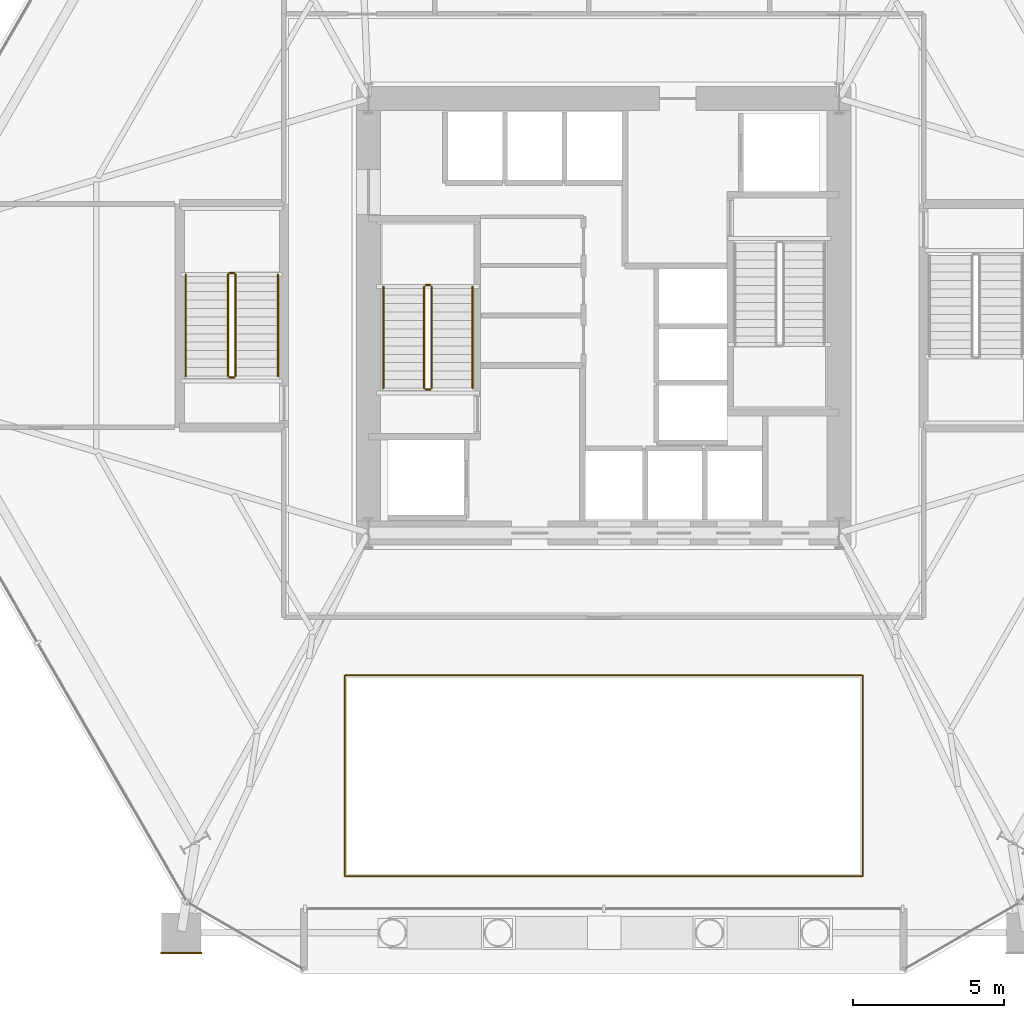
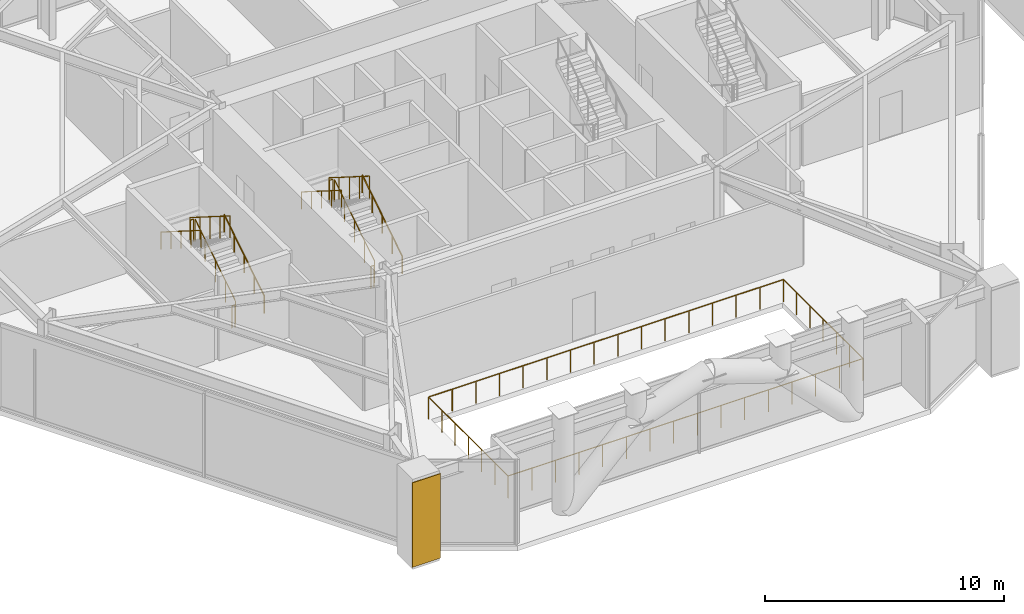
# One storey, part 20 of 23: 13 railings, 1 covering.
"""IFC4 building model written with IfcOpenShell, lengths in metres."""

from ifc_helpers import new_model, si_unit, direction, frame, origin, origin_2d, place, context, subcontext, project, spatial, rectangle, circle, extrude, material, layer, layer_set, type_object, element, save


model = new_model("IFC4")

# Units and contexts
model_context = context("Model", 3, precision=1e-05, world=origin(), true_north=direction((0.0, 1.0)))
body_context = subcontext(model_context, "Body", "Model", "MODEL_VIEW")
ifc_project = project(units=[si_unit("LENGTHUNIT", "METRE"), si_unit("AREAUNIT", "SQUARE_METRE"), si_unit("VOLUMEUNIT", "CUBIC_METRE"), si_unit("PLANEANGLEUNIT", "RADIAN"), si_unit("MASSUNIT", "GRAM", prefix="KILO")], contexts=[model_context])

# Site, building, storey
site_placement = place(None, origin())
site = spatial("IfcSite", under=ifc_project, at=site_placement, CompositionType="ELEMENT")
building_placement = place(site_placement, origin())
building = spatial("IfcBuilding", under=site, at=building_placement, Name="Kranzbogen Civic Tower", CompositionType="ELEMENT")
storey_placement = place(building_placement, frame((0.0, 0.0, 14.39990234375)))
storey = spatial("IfcBuildingStorey", under=building, at=storey_placement, Name="L03", CompositionType="ELEMENT", Elevation=14.39990234375)

# Railings
ifc_material_1 = material(Name="Steel S355", Category="steel")
railing_type_1 = type_object("IfcRailingType", Name="Internal Stair and Void Steel Guardrail 1150", PredefinedType="GUARDRAIL", material=ifc_material_1)
railing_1_placement = place(storey_placement, frame((19.300048828125, 22.60009765625, 0.177001953125)))
element("IfcRailing", 1, at=railing_1_placement, inside=storey, type_object=railing_type_1, Name="L03 ST-T1 stair guard 1", PredefinedType="GUARDRAIL", context=body_context, shape_type="SweptSolid", body=[
    extrude(circle(Radius=0.02392578125, at=origin_2d()), frame((0.0, 0.0, 1.1259765625), z_axis=(0.0, 0.845372108799, 0.534177870812), x_axis=(-1.0, 0.0, 0.0)), (0.0, 0.0, 1.0), 3.974365234375),
    extrude(circle(Radius=0.02099609375, at=origin_2d()), origin(), (0.0, 0.0, 1.0), 1.101806640625),
    extrude(circle(Radius=0.02099609375, at=origin_2d()), frame((0.0, 0.83984375, 0.53076171875)), (0.0, 0.0, 1.0), 1.101806640625),
    extrude(circle(Radius=0.02099609375, at=origin_2d()), frame((0.0, 1.679931640625, 1.0615234375)), (0.0, 0.0, 1.0), 1.101806640625),
    extrude(circle(Radius=0.02099609375, at=origin_2d()), frame((0.0, 2.52001953125, 1.59228515625)), (0.0, 0.0, 1.0), 1.101806640625),
    extrude(circle(Radius=0.02099609375, at=origin_2d()), frame((0.0, 3.35986328125, 2.123046875)), (0.0, 0.0, 1.0), 1.101806640625),
])
railing_2_placement = place(storey_placement, frame((19.25, 26.010009765625, 2.300048828125)))
element("IfcRailing", 2, at=railing_2_placement, inside=storey, type_object=railing_type_1, Name="L03 ST-T1 stair guard 2", PredefinedType="GUARDRAIL", context=body_context, shape_type="SweptSolid", body=[
    extrude(circle(Radius=0.02392578125, at=origin_2d()), frame((0.0, 0.0, 1.1259765625), z_axis=(-1.0, 0.0, 0.0), x_axis=(0.0, -1.0, 0.0)), (0.0, 0.0, 1.0), 0.14990234375),
    extrude(circle(Radius=0.02099609375, at=origin_2d()), origin(), (0.0, 0.0, 1.0), 1.101806640625),
    extrude(circle(Radius=0.02099609375, at=origin_2d()), frame((-0.14990234375, 0.0, 0.0)), (0.0, 0.0, 1.0), 1.101806640625),
])
railing_3_placement = place(storey_placement, frame((19.050048828125, 25.9599609375, 2.47705078125)))
element("IfcRailing", 3, at=railing_3_placement, inside=storey, type_object=railing_type_1, Name="L03 ST-T1 stair guard 3", PredefinedType="GUARDRAIL", context=body_context, shape_type="SweptSolid", body=[
    extrude(circle(Radius=0.02392578125, at=origin_2d()), frame((0.0, 0.0, 1.1259765625), z_axis=(0.0, -0.845372108799, 0.534177870812), x_axis=(1.0, 0.0, 0.0)), (0.0, 0.0, 1.0), 3.974365234375),
    extrude(circle(Radius=0.02099609375, at=origin_2d()), origin(), (0.0, 0.0, 1.0), 1.101806640625),
    extrude(circle(Radius=0.02099609375, at=origin_2d()), frame((0.0, -0.83984375, 0.53076171875)), (0.0, 0.0, 1.0), 1.101806640625),
    extrude(circle(Radius=0.02099609375, at=origin_2d()), frame((0.0, -1.679931640625, 1.0615234375)), (0.0, 0.0, 1.0), 1.101806640625),
    extrude(circle(Radius=0.02099609375, at=origin_2d()), frame((0.0, -2.52001953125, 1.59228515625)), (0.0, 0.0, 1.0), 1.101806640625),
    extrude(circle(Radius=0.02099609375, at=origin_2d()), frame((0.0, -3.35986328125, 2.123046875)), (0.0, 0.0, 1.0), 1.101806640625),
])
railing_4_placement = place(storey_placement, frame((19.25, 22.550048828125, 0.0)))
element("IfcRailing", 4, at=railing_4_placement, inside=storey, type_object=railing_type_1, Name="L03 ST-T1 stair guard 4", PredefinedType="GUARDRAIL", context=body_context, shape_type="SweptSolid", body=[
    extrude(circle(Radius=0.02392578125, at=origin_2d()), frame((0.0, 0.0, 1.1259765625), z_axis=(-1.0, 0.0, 0.0), x_axis=(0.0, -1.0, 0.0)), (0.0, 0.0, 1.0), 0.14990234375),
    extrude(circle(Radius=0.02099609375, at=origin_2d()), origin(), (0.0, 0.0, 1.0), 1.101806640625),
    extrude(circle(Radius=0.02099609375, at=origin_2d()), frame((-0.14990234375, 0.0, 0.0)), (0.0, 0.0, 1.0), 1.101806640625),
])
railing_5_placement = place(storey_placement, frame((12.800048828125, 23.0, 0.177001953125)))
element("IfcRailing", 5, at=railing_5_placement, inside=storey, type_object=railing_type_1, Name="L03 ST-P1 stair guard 1", PredefinedType="GUARDRAIL", context=body_context, shape_type="SweptSolid", body=[
    extrude(circle(Radius=0.02392578125, at=origin_2d()), frame((0.0, 0.0, 1.1259765625), z_axis=(0.0, 0.845389635667, 0.534150132366), x_axis=(-1.0, 0.0, 0.0)), (0.0, 0.0, 1.0), 3.974609375),
    extrude(circle(Radius=0.02099609375, at=origin_2d()), origin(), (0.0, 0.0, 1.0), 1.101806640625),
    extrude(circle(Radius=0.02099609375, at=origin_2d()), frame((0.0, 0.840087890625, 0.53076171875)), (0.0, 0.0, 1.0), 1.101806640625),
    extrude(circle(Radius=0.02099609375, at=origin_2d()), frame((0.0, 1.68017578125, 1.0615234375)), (0.0, 0.0, 1.0), 1.101806640625),
    extrude(circle(Radius=0.02099609375, at=origin_2d()), frame((0.0, 2.52001953125, 1.59228515625)), (0.0, 0.0, 1.0), 1.101806640625),
    extrude(circle(Radius=0.02099609375, at=origin_2d()), frame((0.0, 3.360107421875, 2.123046875)), (0.0, 0.0, 1.0), 1.101806640625),
])
railing_6_placement = place(storey_placement, frame((12.75, 26.409912109375, 2.300048828125)))
element("IfcRailing", 6, at=railing_6_placement, inside=storey, type_object=railing_type_1, Name="L03 ST-P1 stair guard 2", PredefinedType="GUARDRAIL", context=body_context, shape_type="SweptSolid", body=[
    extrude(circle(Radius=0.02392578125, at=origin_2d()), frame((0.0, 0.0, 1.1259765625), z_axis=(-1.0, 0.0, 0.0), x_axis=(0.0, -1.0, 0.0)), (0.0, 0.0, 1.0), 0.14990234375),
    extrude(circle(Radius=0.02099609375, at=origin_2d()), origin(), (0.0, 0.0, 1.0), 1.101806640625),
    extrude(circle(Radius=0.02099609375, at=origin_2d()), frame((-0.14990234375, 0.0, 0.0)), (0.0, 0.0, 1.0), 1.101806640625),
])
railing_7_placement = place(storey_placement, frame((12.550048828125, 26.360107421875, 2.47705078125)))
element("IfcRailing", 7, at=railing_7_placement, inside=storey, type_object=railing_type_1, Name="L03 ST-P1 stair guard 3", PredefinedType="GUARDRAIL", context=body_context, shape_type="SweptSolid", body=[
    extrude(circle(Radius=0.02392578125, at=origin_2d()), frame((0.0, 0.0, 1.1259765625), z_axis=(0.0, -0.845389635667, 0.534150132366), x_axis=(1.0, 0.0, 0.0)), (0.0, 0.0, 1.0), 3.974609375),
    extrude(circle(Radius=0.02099609375, at=origin_2d()), origin(), (0.0, 0.0, 1.0), 1.101806640625),
    extrude(circle(Radius=0.02099609375, at=origin_2d()), frame((0.0, -0.840087890625, 0.53076171875)), (0.0, 0.0, 1.0), 1.101806640625),
    extrude(circle(Radius=0.02099609375, at=origin_2d()), frame((0.0, -1.68017578125, 1.0615234375)), (0.0, 0.0, 1.0), 1.101806640625),
    extrude(circle(Radius=0.02099609375, at=origin_2d()), frame((0.0, -2.52001953125, 1.59228515625)), (0.0, 0.0, 1.0), 1.101806640625),
    extrude(circle(Radius=0.02099609375, at=origin_2d()), frame((0.0, -3.360107421875, 2.123046875)), (0.0, 0.0, 1.0), 1.101806640625),
])
railing_8_placement = place(storey_placement, frame((12.75, 22.949951171875, 0.0)))
element("IfcRailing", 8, at=railing_8_placement, inside=storey, type_object=railing_type_1, Name="L03 ST-P1 stair guard 4", PredefinedType="GUARDRAIL", context=body_context, shape_type="SweptSolid", body=[
    extrude(circle(Radius=0.02392578125, at=origin_2d()), frame((0.0, 0.0, 1.1259765625), z_axis=(-1.0, 0.0, 0.0), x_axis=(0.0, -1.0, 0.0)), (0.0, 0.0, 1.0), 0.14990234375),
    extrude(circle(Radius=0.02099609375, at=origin_2d()), origin(), (0.0, 0.0, 1.0), 1.101806640625),
    extrude(circle(Radius=0.02099609375, at=origin_2d()), frame((-0.14990234375, 0.0, 0.0)), (0.0, 0.0, 1.0), 1.101806640625),
])
railing_9_placement = place(storey_placement, frame((16.419921875, 6.419921875, 0.0)))
element("IfcRailing", 9, at=railing_9_placement, inside=storey, type_object=railing_type_1, Name="L03 double-height civic hall overlook guardrail", PredefinedType="GUARDRAIL", context=body_context, shape_type="SweptSolid", body=[
    extrude(circle(Radius=0.02392578125, at=origin_2d()), frame((0.0, 0.0, 1.1259765625), z_axis=(1.0, 0.0, 0.0), x_axis=(0.0, 1.0, 0.0)), (0.0, 0.0, 1.0), 17.16015625),
    extrude(circle(Radius=0.02392578125, at=origin_2d()), frame((17.16015625, 0.0, 1.1259765625), z_axis=(0.0, 1.0, 0.0), x_axis=(-1.0, 0.0, 0.0)), (0.0, 0.0, 1.0), 6.66015625),
    extrude(circle(Radius=0.02392578125, at=origin_2d()), frame((17.16015625, 6.66015625, 1.1259765625), z_axis=(-1.0, 0.0, 0.0), x_axis=(0.0, -1.0, 0.0)), (0.0, 0.0, 1.0), 17.16015625),
    extrude(circle(Radius=0.02392578125, at=origin_2d()), frame((0.0, 6.66015625, 1.1259765625), z_axis=(0.0, -1.0, 0.0), x_axis=(1.0, 0.0, 0.0)), (0.0, 0.0, 1.0), 6.66015625),
    extrude(circle(Radius=0.02099609375, at=origin_2d()), origin(), (0.0, 0.0, 1.0), 1.101806640625),
    extrude(circle(Radius=0.02099609375, at=origin_2d()), frame((1.14404296875, 0.0, 0.0)), (0.0, 0.0, 1.0), 1.101806640625),
    extrude(circle(Radius=0.02099609375, at=origin_2d()), frame((2.2880859375, 0.0, 0.0)), (0.0, 0.0, 1.0), 1.101806640625),
    extrude(circle(Radius=0.02099609375, at=origin_2d()), frame((3.43212890625, 0.0, 0.0)), (0.0, 0.0, 1.0), 1.101806640625),
    extrude(circle(Radius=0.02099609375, at=origin_2d()), frame((4.575927734375, 0.0, 0.0)), (0.0, 0.0, 1.0), 1.101806640625),
    extrude(circle(Radius=0.02099609375, at=origin_2d()), frame((5.719970703125, 0.0, 0.0)), (0.0, 0.0, 1.0), 1.101806640625),
    extrude(circle(Radius=0.02099609375, at=origin_2d()), frame((6.864013671875, 0.0, 0.0)), (0.0, 0.0, 1.0), 1.101806640625),
    extrude(circle(Radius=0.02099609375, at=origin_2d()), frame((8.008056640625, 0.0, 0.0)), (0.0, 0.0, 1.0), 1.101806640625),
    extrude(circle(Radius=0.02099609375, at=origin_2d()), frame((9.152099609375, 0.0, 0.0)), (0.0, 0.0, 1.0), 1.101806640625),
    extrude(circle(Radius=0.02099609375, at=origin_2d()), frame((10.296142578125, 0.0, 0.0)), (0.0, 0.0, 1.0), 1.101806640625),
    extrude(circle(Radius=0.02099609375, at=origin_2d()), frame((11.440185546875, 0.0, 0.0)), (0.0, 0.0, 1.0), 1.101806640625),
    extrude(circle(Radius=0.02099609375, at=origin_2d()), frame((12.584228515625, 0.0, 0.0)), (0.0, 0.0, 1.0), 1.101806640625),
    extrude(circle(Radius=0.02099609375, at=origin_2d()), frame((13.72802734375, 0.0, 0.0)), (0.0, 0.0, 1.0), 1.101806640625),
    extrude(circle(Radius=0.02099609375, at=origin_2d()), frame((14.8720703125, 0.0, 0.0)), (0.0, 0.0, 1.0), 1.101806640625),
    extrude(circle(Radius=0.02099609375, at=origin_2d()), frame((16.01611328125, 0.0, 0.0)), (0.0, 0.0, 1.0), 1.101806640625),
    extrude(circle(Radius=0.02099609375, at=origin_2d()), frame((17.16015625, 0.0, 0.0)), (0.0, 0.0, 1.0), 1.101806640625),
    extrude(circle(Radius=0.02099609375, at=origin_2d()), frame((17.16015625, 1.110107421875, 0.0)), (0.0, 0.0, 1.0), 1.101806640625),
    extrude(circle(Radius=0.02099609375, at=origin_2d()), frame((17.16015625, 2.219970703125, 0.0)), (0.0, 0.0, 1.0), 1.101806640625),
    extrude(circle(Radius=0.02099609375, at=origin_2d()), frame((17.16015625, 3.330078125, 0.0)), (0.0, 0.0, 1.0), 1.101806640625),
    extrude(circle(Radius=0.02099609375, at=origin_2d()), frame((17.16015625, 4.440185546875, 0.0)), (0.0, 0.0, 1.0), 1.101806640625),
    extrude(circle(Radius=0.02099609375, at=origin_2d()), frame((17.16015625, 5.550048828125, 0.0)), (0.0, 0.0, 1.0), 1.101806640625),
    extrude(circle(Radius=0.02099609375, at=origin_2d()), frame((17.16015625, 6.66015625, 0.0)), (0.0, 0.0, 1.0), 1.101806640625),
    extrude(circle(Radius=0.02099609375, at=origin_2d()), frame((16.01611328125, 6.66015625, 0.0)), (0.0, 0.0, 1.0), 1.101806640625),
    extrude(circle(Radius=0.02099609375, at=origin_2d()), frame((14.8720703125, 6.66015625, 0.0)), (0.0, 0.0, 1.0), 1.101806640625),
    extrude(circle(Radius=0.02099609375, at=origin_2d()), frame((13.72802734375, 6.66015625, 0.0)), (0.0, 0.0, 1.0), 1.101806640625),
    extrude(circle(Radius=0.02099609375, at=origin_2d()), frame((12.584228515625, 6.66015625, 0.0)), (0.0, 0.0, 1.0), 1.101806640625),
    extrude(circle(Radius=0.02099609375, at=origin_2d()), frame((11.440185546875, 6.66015625, 0.0)), (0.0, 0.0, 1.0), 1.101806640625),
    extrude(circle(Radius=0.02099609375, at=origin_2d()), frame((10.296142578125, 6.66015625, 0.0)), (0.0, 0.0, 1.0), 1.101806640625),
    extrude(circle(Radius=0.02099609375, at=origin_2d()), frame((9.152099609375, 6.66015625, 0.0)), (0.0, 0.0, 1.0), 1.101806640625),
    extrude(circle(Radius=0.02099609375, at=origin_2d()), frame((8.008056640625, 6.66015625, 0.0)), (0.0, 0.0, 1.0), 1.101806640625),
    extrude(circle(Radius=0.02099609375, at=origin_2d()), frame((6.864013671875, 6.66015625, 0.0)), (0.0, 0.0, 1.0), 1.101806640625),
    extrude(circle(Radius=0.02099609375, at=origin_2d()), frame((5.719970703125, 6.66015625, 0.0)), (0.0, 0.0, 1.0), 1.101806640625),
    extrude(circle(Radius=0.02099609375, at=origin_2d()), frame((4.575927734375, 6.66015625, 0.0)), (0.0, 0.0, 1.0), 1.101806640625),
    extrude(circle(Radius=0.02099609375, at=origin_2d()), frame((3.43212890625, 6.66015625, 0.0)), (0.0, 0.0, 1.0), 1.101806640625),
    extrude(circle(Radius=0.02099609375, at=origin_2d()), frame((2.2880859375, 6.66015625, 0.0)), (0.0, 0.0, 1.0), 1.101806640625),
    extrude(circle(Radius=0.02099609375, at=origin_2d()), frame((1.14404296875, 6.66015625, 0.0)), (0.0, 0.0, 1.0), 1.101806640625),
    extrude(circle(Radius=0.02099609375, at=origin_2d()), frame((0.0, 6.66015625, 0.0)), (0.0, 0.0, 1.0), 1.101806640625),
    extrude(circle(Radius=0.02099609375, at=origin_2d()), frame((0.0, 5.550048828125, 0.0)), (0.0, 0.0, 1.0), 1.101806640625),
    extrude(circle(Radius=0.02099609375, at=origin_2d()), frame((0.0, 4.440185546875, 0.0)), (0.0, 0.0, 1.0), 1.101806640625),
    extrude(circle(Radius=0.02099609375, at=origin_2d()), frame((0.0, 3.330078125, 0.0)), (0.0, 0.0, 1.0), 1.101806640625),
    extrude(circle(Radius=0.02099609375, at=origin_2d()), frame((0.0, 2.219970703125, 0.0)), (0.0, 0.0, 1.0), 1.101806640625),
    extrude(circle(Radius=0.02099609375, at=origin_2d()), frame((0.0, 1.110107421875, 0.0)), (0.0, 0.0, 1.0), 1.101806640625),
])

# Covering
ifc_material_2 = material(Name="Anodised Bronze Aluminium", Category="aluminium")
ifc_layer = layer(ifc_material_2, 0.034912109375, Name="Anodised Bronze Aluminium")
ifc_layer_set = layer_set([ifc_layer], Name="Anodised Bronze Aluminium")
covering_type = type_object("IfcCoveringType", Name="Portal Arch Pier Anodised Metal Cladding 35 mm", PredefinedType="CLADDING", material=ifc_layer_set)
covering_placement = place(storey_placement, frame((11.0, 3.882080078125, 0.14013671875), z_axis=(0.0, 0.0, 1.0), x_axis=(1.0, 0.0, 0.0)))
element("IfcCovering", 10, at=covering_placement, inside=storey, type_object=covering_type, Name="L03 portal arch pier 1 cladding", PredefinedType="CLADDING", context=body_context, shape_type="SweptSolid", body=[
    extrude(rectangle(XDim=1.3701171875, YDim=0.034912109375, at=origin_2d()), origin(), (0.0, 0.0, 1.0), 4.320068359375),
])

# Railings
ifc_material_3 = material(Name="Pale Anodised Aluminium", Category="aluminium")
railing_type_2 = type_object("IfcRailingType", Name="Tubular Stainless Stair Wall Handrail 900", PredefinedType="HANDRAIL", material=ifc_material_3)
railing_10_placement = place(storey_placement, frame((20.64990234375, 22.60009765625, 0.177001953125)))
element("IfcRailing", 11, at=railing_10_placement, inside=storey, type_object=railing_type_2, Name="L03 ST-T1 stair handrail 1", PredefinedType="HANDRAIL", context=body_context, shape_type="SweptSolid", body=[
    extrude(circle(Radius=0.02392578125, at=origin_2d()), frame((0.0, 0.0, 0.8759765625), z_axis=(0.0, 0.845372108799, 0.534177870812), x_axis=(-1.0, 0.0, 0.0)), (0.0, 0.0, 1.0), 3.974365234375),
    extrude(circle(Radius=0.02099609375, at=origin_2d()), origin(), (0.0, 0.0, 1.0), 0.851806640625),
    extrude(circle(Radius=0.02099609375, at=origin_2d()), frame((0.0, 0.83984375, 0.53076171875)), (0.0, 0.0, 1.0), 0.851806640625),
    extrude(circle(Radius=0.02099609375, at=origin_2d()), frame((0.0, 1.679931640625, 1.0615234375)), (0.0, 0.0, 1.0), 0.851806640625),
    extrude(circle(Radius=0.02099609375, at=origin_2d()), frame((0.0, 2.52001953125, 1.59228515625)), (0.0, 0.0, 1.0), 0.851806640625),
    extrude(circle(Radius=0.02099609375, at=origin_2d()), frame((0.0, 3.35986328125, 2.123046875)), (0.0, 0.0, 1.0), 0.851806640625),
])
railing_11_placement = place(storey_placement, frame((17.699951171875, 25.9599609375, 2.47705078125)))
element("IfcRailing", 12, at=railing_11_placement, inside=storey, type_object=railing_type_2, Name="L03 ST-T1 stair handrail 2", PredefinedType="HANDRAIL", context=body_context, shape_type="SweptSolid", body=[
    extrude(circle(Radius=0.02392578125, at=origin_2d()), frame((0.0, 0.0, 0.8759765625), z_axis=(0.0, -0.845372108799, 0.534177870812), x_axis=(1.0, 0.0, 0.0)), (0.0, 0.0, 1.0), 3.974365234375),
    extrude(circle(Radius=0.02099609375, at=origin_2d()), origin(), (0.0, 0.0, 1.0), 0.851806640625),
    extrude(circle(Radius=0.02099609375, at=origin_2d()), frame((0.0, -0.83984375, 0.53076171875)), (0.0, 0.0, 1.0), 0.851806640625),
    extrude(circle(Radius=0.02099609375, at=origin_2d()), frame((0.0, -1.679931640625, 1.0615234375)), (0.0, 0.0, 1.0), 0.851806640625),
    extrude(circle(Radius=0.02099609375, at=origin_2d()), frame((0.0, -2.52001953125, 1.59228515625)), (0.0, 0.0, 1.0), 0.851806640625),
    extrude(circle(Radius=0.02099609375, at=origin_2d()), frame((0.0, -3.35986328125, 2.123046875)), (0.0, 0.0, 1.0), 0.851806640625),
])
railing_12_placement = place(storey_placement, frame((14.199951171875, 23.0, 0.177001953125)))
element("IfcRailing", 13, at=railing_12_placement, inside=storey, type_object=railing_type_2, Name="L03 ST-P1 stair handrail 1", PredefinedType="HANDRAIL", context=body_context, shape_type="SweptSolid", body=[
    extrude(circle(Radius=0.02392578125, at=origin_2d()), frame((0.0, 0.0, 0.8759765625), z_axis=(0.0, 0.845389635667, 0.534150132366), x_axis=(-1.0, 0.0, 0.0)), (0.0, 0.0, 1.0), 3.974609375),
    extrude(circle(Radius=0.02099609375, at=origin_2d()), origin(), (0.0, 0.0, 1.0), 0.851806640625),
    extrude(circle(Radius=0.02099609375, at=origin_2d()), frame((0.0, 0.840087890625, 0.53076171875)), (0.0, 0.0, 1.0), 0.851806640625),
    extrude(circle(Radius=0.02099609375, at=origin_2d()), frame((0.0, 1.68017578125, 1.0615234375)), (0.0, 0.0, 1.0), 0.851806640625),
    extrude(circle(Radius=0.02099609375, at=origin_2d()), frame((0.0, 2.52001953125, 1.59228515625)), (0.0, 0.0, 1.0), 0.851806640625),
    extrude(circle(Radius=0.02099609375, at=origin_2d()), frame((0.0, 3.360107421875, 2.123046875)), (0.0, 0.0, 1.0), 0.851806640625),
])
railing_13_placement = place(storey_placement, frame((11.14990234375, 26.360107421875, 2.47705078125)))
element("IfcRailing", 14, at=railing_13_placement, inside=storey, type_object=railing_type_2, Name="L03 ST-P1 stair handrail 2", PredefinedType="HANDRAIL", context=body_context, shape_type="SweptSolid", body=[
    extrude(circle(Radius=0.02392578125, at=origin_2d()), frame((0.0, 0.0, 0.8759765625), z_axis=(0.0, -0.845389635667, 0.534150132366), x_axis=(1.0, 0.0, 0.0)), (0.0, 0.0, 1.0), 3.974609375),
    extrude(circle(Radius=0.02099609375, at=origin_2d()), origin(), (0.0, 0.0, 1.0), 0.851806640625),
    extrude(circle(Radius=0.02099609375, at=origin_2d()), frame((0.0, -0.840087890625, 0.53076171875)), (0.0, 0.0, 1.0), 0.851806640625),
    extrude(circle(Radius=0.02099609375, at=origin_2d()), frame((0.0, -1.68017578125, 1.0615234375)), (0.0, 0.0, 1.0), 0.851806640625),
    extrude(circle(Radius=0.02099609375, at=origin_2d()), frame((0.0, -2.52001953125, 1.59228515625)), (0.0, 0.0, 1.0), 0.851806640625),
    extrude(circle(Radius=0.02099609375, at=origin_2d()), frame((0.0, -3.360107421875, 2.123046875)), (0.0, 0.0, 1.0), 0.851806640625),
])

save(model, "model.ifc")
